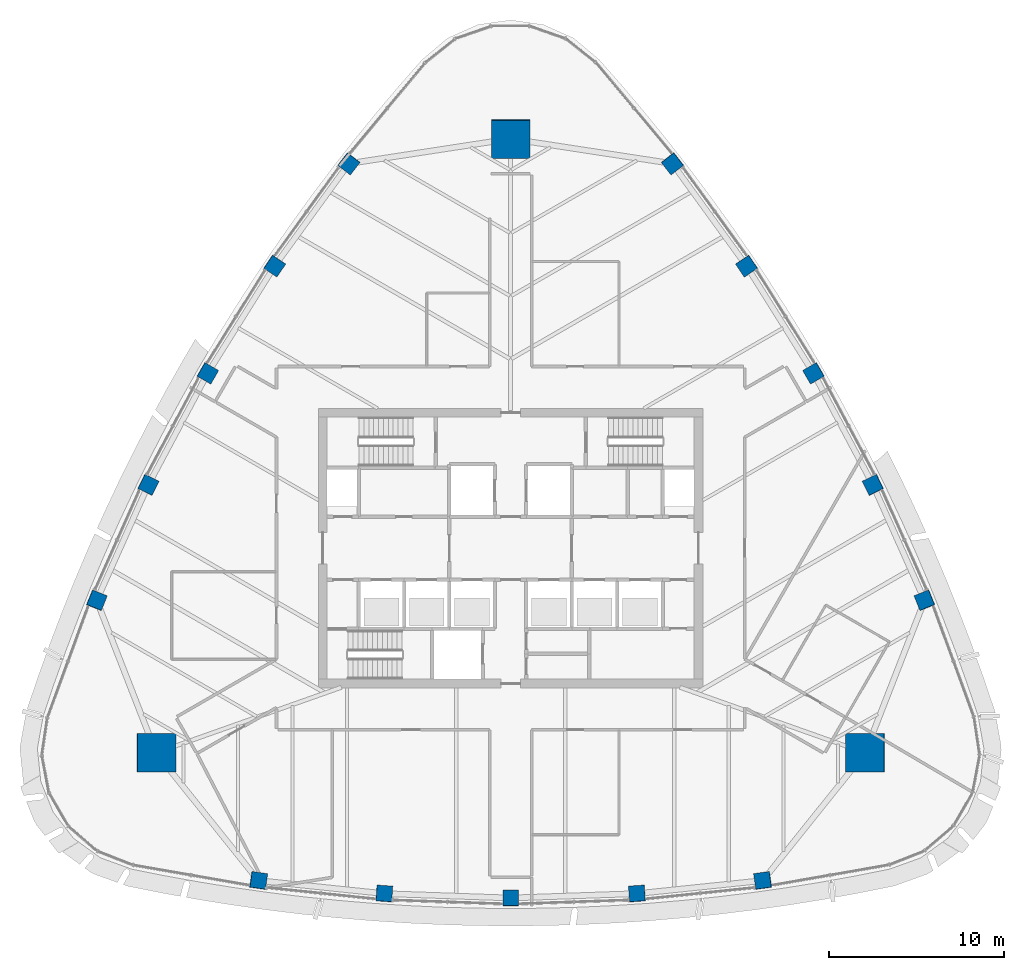
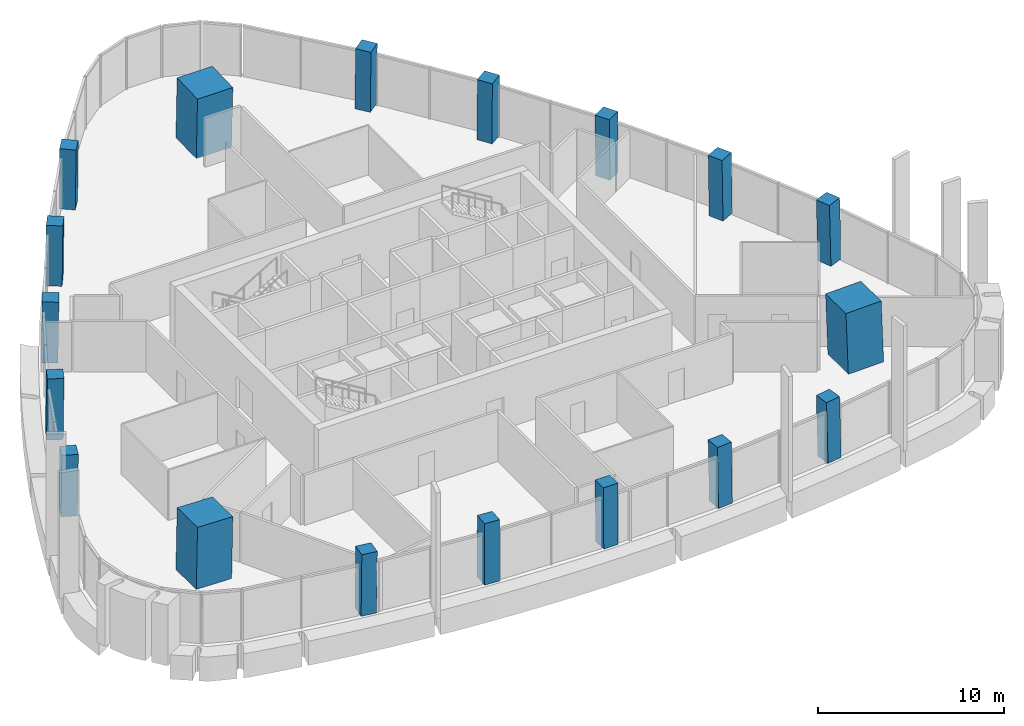
# One storey, part 1 of 16: 18 columns.
"""IFC4 building model written with IfcOpenShell, lengths in metres."""

from ifc_helpers import new_model, si_unit, direction, frame, origin, origin_2d, place, context, subcontext, project, spatial, rectangle, extrude, material, material_profile, profile_set, type_object, element, save


model = new_model("IFC4")

# Units and contexts
model_context = context("Model", 3, precision=1e-05, world=origin(), true_north=direction((0.0, 1.0)))
body_context = subcontext(model_context, "Body", "Model", "MODEL_VIEW")
ifc_project = project(units=[si_unit("LENGTHUNIT", "METRE"), si_unit("AREAUNIT", "SQUARE_METRE"), si_unit("VOLUMEUNIT", "CUBIC_METRE"), si_unit("PLANEANGLEUNIT", "RADIAN"), si_unit("MASSUNIT", "GRAM", prefix="KILO")], contexts=[model_context])

# Site, building, storey
site_placement = place(None, origin())
site = spatial("IfcSite", under=ifc_project, at=site_placement, CompositionType="ELEMENT")
building_placement = place(site_placement, origin())
building = spatial("IfcBuilding", under=site, at=building_placement, Name="Sierra Prisma Convention Tower", CompositionType="ELEMENT")
storey_placement = place(building_placement, frame((0.0, 0.0, 303.0)))
storey = spatial("IfcBuildingStorey", under=building, at=storey_placement, Name="L69", CompositionType="ELEMENT", Elevation=303.0)

# Columns
ifc_material_1 = material(Name="Concrete C50/60", Category="concrete")
ifc_material_profile_1 = material_profile(ifc_material_1, rectangle(XDim=2.199951171875, YDim=2.199951171875, at=origin_2d()), Name="Mega column RC 2200 C50/60")
ifc_profile_set_1 = profile_set([ifc_material_profile_1], Name="Concrete C50/60")
column_type_1 = type_object("IfcColumnType", Name="Mega column RC 2200 C50/60", PredefinedType="COLUMN", material=ifc_profile_set_1)
for number, where, z_axis, x_axis, name in (
    (1, (20.289306640625, -11.714111328125, 0.0), (-0.027756720281, 0.01604399436, 0.999485945236), (0.999614708015, 0.000445500311, 0.027753144871), "Mega column SE L69"),
    (2, (0.0, 23.427978515625, 0.0), (0.0, -0.032027018848, 0.999487003449), (1.0, 0.0, 0.0), "Mega column N L69"),
    (3, (-20.289306640625, -11.714111328125, 0.0), (0.027756720281, 0.01604399436, 0.999485945236), (0.999614708015, -0.000445500311, -0.027753144871), "Mega column SW L69"),
):
    element("IfcColumn", number, at=place(storey_placement, frame(where, z_axis=z_axis, x_axis=x_axis)), inside=storey, type_object=column_type_1, Name=name, PredefinedType="COLUMN", context=body_context, shape_type="SweptSolid", body=[
        extrude(rectangle(XDim=2.199951171875, YDim=2.199951171875, at=origin_2d()), origin(), (0.0, 0.0, 1.0), 4.001953125),
    ])
ifc_material_2 = material(Name="Concrete C50/60", Category="concrete")
ifc_material_profile_2 = material_profile(ifc_material_2, rectangle(XDim=0.89990234375, YDim=0.89990234375, at=origin_2d()), Name="Perimeter column RC 900 C50/60")
ifc_profile_set_2 = profile_set([ifc_material_profile_2], Name="Concrete C50/60")
column_type_2 = type_object("IfcColumnType", Name="Perimeter column RC 900 C50/60", PredefinedType="COLUMN", material=ifc_profile_set_2)
column_1_placement = place(storey_placement, frame((-14.43212890625, -19.023193359375, 0.0), z_axis=(0.017391452496, 0.010373848857, 0.999794939295), x_axis=(-0.990356057781, 0.137641808402, 0.01579909479)))
element("IfcColumn", 4, at=column_1_placement, inside=storey, type_object=column_type_2, Name="Perimeter column S-1 L69", PredefinedType="COLUMN", context=body_context, shape_type="SweptSolid", body=[
    extrude(rectangle(XDim=0.89990234375, YDim=0.89990234375, at=origin_2d()), origin(), (0.0, 0.0, 1.0), 4.000732421875),
])
column_2_placement = place(storey_placement, frame((-7.2333984375, -19.7705078125, 0.0), z_axis=(0.008727150594, 0.011168311599, 0.999899547784), x_axis=(-0.997585590685, 0.06899278007, 0.007936344038)))
element("IfcColumn", 5, at=column_2_placement, inside=storey, type_object=column_type_2, Name="Perimeter column S-2 L69", PredefinedType="COLUMN", context=body_context, shape_type="SweptSolid", body=[
    extrude(rectangle(XDim=0.89990234375, YDim=0.89990234375, at=origin_2d()), origin(), (0.0, 0.0, 1.0), 4.00048828125),
])
column_3_placement = place(storey_placement, frame((0.0, -20.02001953125, 0.0), z_axis=(0.0, 0.01141283087, 0.999934871525), x_axis=(1.0, 0.0, 0.0)))
element("IfcColumn", 6, at=column_3_placement, inside=storey, type_object=column_type_2, Name="Perimeter column S-3 L69", PredefinedType="COLUMN", context=body_context, shape_type="SweptSolid", body=[
    extrude(rectangle(XDim=0.89990234375, YDim=0.89990234375, at=origin_2d()), origin(), (0.0, 0.0, 1.0), 4.000244140625),
])
column_4_placement = place(storey_placement, frame((7.2333984375, -19.7705078125, 0.0), z_axis=(-0.008727150594, 0.011168311599, 0.999899547784), x_axis=(0.997585590685, 0.06899278007, 0.007936344038)))
element("IfcColumn", 7, at=column_4_placement, inside=storey, type_object=column_type_2, Name="Perimeter column S-4 L69", PredefinedType="COLUMN", context=body_context, shape_type="SweptSolid", body=[
    extrude(rectangle(XDim=0.89990234375, YDim=0.89990234375, at=origin_2d()), origin(), (0.0, 0.0, 1.0), 4.00048828125),
])
for number, where, z_axis, x_axis, name in (
    (8, (14.43212890625, -19.023193359375, 0.0), (-0.017391452496, 0.010373848857, 0.999794939295), (0.990356057781, 0.137641808402, 0.01579909479), "Perimeter column S-5 L69"),
    (9, (23.69091796875, -2.987060546875, 0.0), (-0.017696558482, 0.009885663704, 0.999794531627), (-0.376141094999, 0.926427367608, -0.015818002387), "Perimeter column NE-1 L69"),
):
    element("IfcColumn", number, at=place(storey_placement, frame(where, z_axis=z_axis, x_axis=x_axis)), inside=storey, type_object=column_type_2, Name=name, PredefinedType="COLUMN", context=body_context, shape_type="SweptSolid", body=[
        extrude(rectangle(XDim=0.89990234375, YDim=0.89990234375, at=origin_2d()), origin(), (0.0, 0.0, 1.0), 4.000732421875),
    ])
column_5_placement = place(storey_placement, frame((20.73828125, 3.62109375, 0.0), z_axis=(-0.013975659066, 0.001952930525, 0.999900428551), x_axis=(-0.439099892743, 0.898403584297, -0.007892015999)))
element("IfcColumn", 10, at=column_5_placement, inside=storey, type_object=column_type_2, Name="Perimeter column NE-2 L69", PredefinedType="COLUMN", context=body_context, shape_type="SweptSolid", body=[
    extrude(rectangle(XDim=0.89990234375, YDim=0.89990234375, at=origin_2d()), origin(), (0.0, 0.0, 1.0), 4.00048828125),
])
column_6_placement = place(storey_placement, frame((17.337890625, 10.010009765625, 0.0), z_axis=(-0.009948074445, -0.005736926367, 0.999934059571), x_axis=(-0.499975258342, 0.8660396879, -5.385525e-06)))
element("IfcColumn", 11, at=column_6_placement, inside=storey, type_object=column_type_2, Name="Perimeter column NE-3 L69", PredefinedType="COLUMN", context=body_context, shape_type="SweptSolid", body=[
    extrude(rectangle(XDim=0.89990234375, YDim=0.89990234375, at=origin_2d()), origin(), (0.0, 0.0, 1.0), 4.000244140625),
])
column_7_placement = place(storey_placement, frame((13.505126953125, 16.1494140625, 0.0), z_axis=(-0.00530952661, -0.013121243922, 0.999899815924), x_axis=(-0.558472929036, 0.829484942595, 0.007919440786)))
element("IfcColumn", 12, at=column_7_placement, inside=storey, type_object=column_type_2, Name="Perimeter column NE-4 L69", PredefinedType="COLUMN", context=body_context, shape_type="SweptSolid", body=[
    extrude(rectangle(XDim=0.89990234375, YDim=0.89990234375, at=origin_2d()), origin(), (0.0, 0.0, 1.0), 4.00048828125),
])
for number, where, z_axis, x_axis, name in (
    (13, (9.258544921875, 22.01025390625, 0.0), (-0.000305113131, -0.020259511915, 0.999794708469), (-0.614305829467, 0.788909847655, 0.01579873903), "Perimeter column NE-5 L69"),
    (14, (-9.258544921875, 22.01025390625, 0.0), (0.000305113131, -0.020259511915, 0.999794708469), (0.614305829467, 0.788909847655, 0.01579873903), "Perimeter column NW-1 L69"),
):
    element("IfcColumn", number, at=place(storey_placement, frame(where, z_axis=z_axis, x_axis=x_axis)), inside=storey, type_object=column_type_2, Name=name, PredefinedType="COLUMN", context=body_context, shape_type="SweptSolid", body=[
        extrude(rectangle(XDim=0.89990234375, YDim=0.89990234375, at=origin_2d()), origin(), (0.0, 0.0, 1.0), 4.000732421875),
    ])
column_8_placement = place(storey_placement, frame((-13.505126953125, 16.1494140625, 0.0), z_axis=(0.00530952661, -0.013121243922, 0.999899815924), x_axis=(0.558472929036, 0.829484942595, 0.007919440786)))
element("IfcColumn", 15, at=column_8_placement, inside=storey, type_object=column_type_2, Name="Perimeter column NW-2 L69", PredefinedType="COLUMN", context=body_context, shape_type="SweptSolid", body=[
    extrude(rectangle(XDim=0.89990234375, YDim=0.89990234375, at=origin_2d()), origin(), (0.0, 0.0, 1.0), 4.00048828125),
])
column_9_placement = place(storey_placement, frame((-17.337890625, 10.010009765625, 0.0), z_axis=(0.009948074445, -0.005736926367, 0.999934059571), x_axis=(0.499975258342, 0.8660396879, -5.385525e-06)))
element("IfcColumn", 16, at=column_9_placement, inside=storey, type_object=column_type_2, Name="Perimeter column NW-3 L69", PredefinedType="COLUMN", context=body_context, shape_type="SweptSolid", body=[
    extrude(rectangle(XDim=0.89990234375, YDim=0.89990234375, at=origin_2d()), origin(), (0.0, 0.0, 1.0), 4.000244140625),
])
column_10_placement = place(storey_placement, frame((-20.73828125, 3.62109375, 0.0), z_axis=(0.013975659066, 0.001952930525, 0.999900428551), x_axis=(0.439099892743, 0.898403584297, -0.007892015999)))
element("IfcColumn", 17, at=column_10_placement, inside=storey, type_object=column_type_2, Name="Perimeter column NW-4 L69", PredefinedType="COLUMN", context=body_context, shape_type="SweptSolid", body=[
    extrude(rectangle(XDim=0.89990234375, YDim=0.89990234375, at=origin_2d()), origin(), (0.0, 0.0, 1.0), 4.00048828125),
])
column_11_placement = place(storey_placement, frame((-23.69091796875, -2.987060546875, 0.0), z_axis=(0.017696558482, 0.009885663704, 0.999794531627), x_axis=(0.376141094999, 0.926427367608, -0.015818002387)))
element("IfcColumn", 18, at=column_11_placement, inside=storey, type_object=column_type_2, Name="Perimeter column NW-5 L69", PredefinedType="COLUMN", context=body_context, shape_type="SweptSolid", body=[
    extrude(rectangle(XDim=0.89990234375, YDim=0.89990234375, at=origin_2d()), origin(), (0.0, 0.0, 1.0), 4.000732421875),
])

save(model, "model.ifc")
